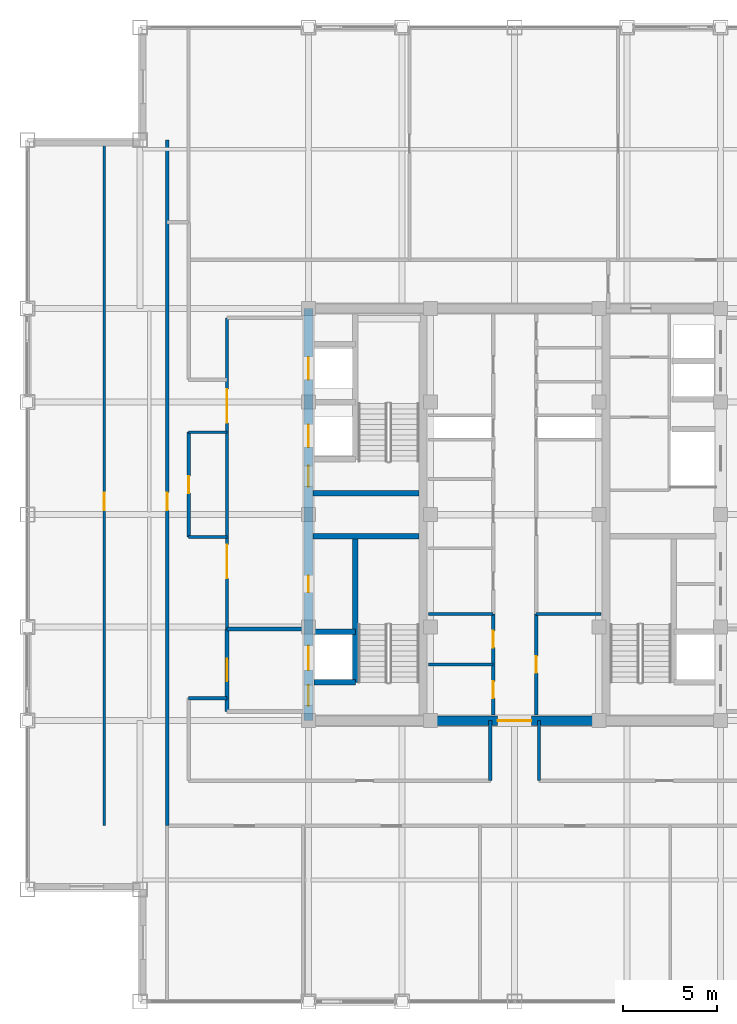
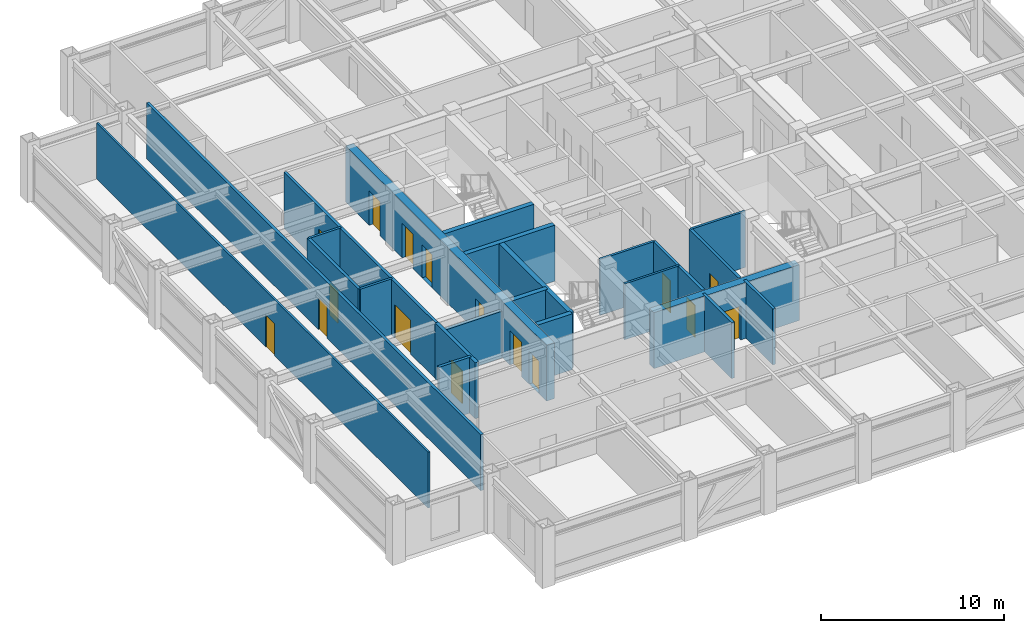
# One storey, part 24 of 28: 23 walls, 16 doors, 16 openings.
"""IFC4 building model written with IfcOpenShell, lengths in metres."""

from ifc_helpers import new_model, si_unit, direction, frame, frame_2d, origin, place, context, subcontext, project, spatial, rectangle, extrude, source, transform, mapped, material, layer, layer_set, type_object, element, fill, save


model = new_model("IFC4")

# Units and contexts
model_context = context("Model", 3, precision=1e-05, world=origin(), true_north=direction((0.0, 1.0)))
body_context = subcontext(model_context, "Body", "Model", "MODEL_VIEW")
ifc_project = project(units=[si_unit("LENGTHUNIT", "METRE"), si_unit("AREAUNIT", "SQUARE_METRE"), si_unit("VOLUMEUNIT", "CUBIC_METRE"), si_unit("PLANEANGLEUNIT", "RADIAN"), si_unit("MASSUNIT", "GRAM", prefix="KILO")], contexts=[model_context])

# Site, building, storey
site_placement = place(None, origin())
site = spatial("IfcSite", under=ifc_project, at=site_placement, CompositionType="ELEMENT")
building_placement = place(site_placement, origin())
building = spatial("IfcBuilding", under=site, at=building_placement, Name="Khorayat Bourse Tower", CompositionType="ELEMENT")
storey_placement = place(building_placement, frame((0.0, 0.0, 338.300048828125)))
storey = spatial("IfcBuildingStorey", under=building, at=storey_placement, Name="L80", CompositionType="ELEMENT", Elevation=338.300048828125)

# Wall, openings, doors
ifc_material_1 = material(Name="Concrete C52/65", Category="concrete")
ifc_layer_1 = layer(ifc_material_1, 0.5)
ifc_layer_set_1 = layer_set([ifc_layer_1], Name="Concrete C52/65")
wall_type_1 = type_object("IfcWallType", Name="WAL-CORE-500", PredefinedType="SHEAR", material=ifc_layer_set_1)
shared_shape_1 = source(origin(), body_context, "Body", "SweptSolid", [
    extrude(rectangle(XDim=22.0, YDim=0.5, at=frame_2d((11.0, 0.0))), origin(), (0.0, 0.0, 1.0), 3.739990234375),
])
wall_1_placement = place(storey_placement, frame((-11.0, -11.0, 0.0), z_axis=(0.0, 0.0, 1.0), x_axis=(0.0, 1.0, 0.0)))
wall_1 = element("IfcWall", 1, at=wall_1_placement, inside=storey, type_object=wall_type_1, Name="L80 Core Shear Wall CORE-W", PredefinedType="SHEAR", context=body_context, shape_type="MappedRepresentation", body=[
    mapped(shared_shape_1, transform((0.0, 0.0, 0.0), scale=1.0)),
])
shared_shape_2 = source(origin(), body_context, "Body", "SweptSolid", [
    extrude(rectangle(XDim=1.10009765625, YDim=2.199951171875, at=frame_2d((0.550048828125, 1.10009765625))), frame((0.0, 0.260009765625, 0.0), z_axis=(0.0, -1.0, 0.0), x_axis=(1.0, 0.0, 0.0)), (0.0, 0.0, 1.0), 0.52001953125),
])
opening_1_placement = place(wall_1_placement, frame((0.800048828125, 0.0, 0.0)))
opening_1 = element("IfcOpeningElement", 2, at=opening_1_placement, cuts=wall_1, Name="Opening DI-01", PredefinedType="OPENING", context=body_context, shape_type="MappedRepresentation", body=[
    mapped(shared_shape_2, transform((0.0, 0.0, 0.0), scale=1.0)),
])
opening_2_placement = place(wall_1_placement, frame((12.5, 0.0, 0.0)))
opening_2 = element("IfcOpeningElement", 3, at=opening_2_placement, cuts=wall_1, Name="Opening DI-01", PredefinedType="OPENING", context=body_context, shape_type="MappedRepresentation", body=[
    mapped(shared_shape_2, transform((0.0, 0.0, 0.0), scale=1.0)),
])
shared_shape_3 = source(origin(), body_context, "Body", "SweptSolid", [
    extrude(rectangle(XDim=0.89990234375, YDim=2.14990234375, at=frame_2d((0.449951171875, 1.074951171875))), frame((0.0, 0.260009765625, 0.0), z_axis=(0.0, -1.0, 0.0), x_axis=(1.0, 0.0, 0.0)), (0.0, 0.0, 1.0), 0.52001953125),
])
opening_3_placement = place(wall_1_placement, frame((6.85009765625, 0.0, 0.0)))
opening_3 = element("IfcOpeningElement", 4, at=opening_3_placement, cuts=wall_1, Name="Opening DI-06", PredefinedType="OPENING", context=body_context, shape_type="MappedRepresentation", body=[
    mapped(shared_shape_3, transform((0.0, 0.0, 0.0), scale=1.0)),
])
shared_shape_4 = source(origin(), body_context, "Body", "SweptSolid", [
    extrude(rectangle(XDim=1.199951171875, YDim=2.300048828125, at=frame_2d((0.60009765625, 1.14990234375))), frame((0.0, 0.260009765625, 0.0), z_axis=(0.0, -1.0, 0.0), x_axis=(1.0, 0.0, 0.0)), (0.0, 0.0, 1.0), 0.52001953125),
])
opening_4_placement = place(wall_1_placement, frame((14.60009765625, 0.0, 0.0)))
opening_4 = element("IfcOpeningElement", 5, at=opening_4_placement, cuts=wall_1, Name="Opening LD-01", PredefinedType="OPENING", context=body_context, shape_type="MappedRepresentation", body=[
    mapped(shared_shape_4, transform((0.0, 0.0, 0.0), scale=1.0)),
])
opening_5_placement = place(wall_1_placement, frame((18.199951171875, 0.0, 0.0)))
opening_5 = element("IfcOpeningElement", 6, at=opening_5_placement, cuts=wall_1, Name="Opening LD-01", PredefinedType="OPENING", context=body_context, shape_type="MappedRepresentation", body=[
    mapped(shared_shape_4, transform((0.0, 0.0, 0.0), scale=1.0)),
])
shared_shape_5 = source(origin(), body_context, "Body", "SweptSolid", [
    extrude(rectangle(XDim=1.300048828125, YDim=2.300048828125, at=frame_2d((0.64990234375, 1.14990234375))), frame((0.0, 0.260009765625, 0.0), z_axis=(0.0, -1.0, 0.0), x_axis=(1.0, 0.0, 0.0)), (0.0, 0.0, 1.0), 0.52001953125),
])
opening_6_placement = place(wall_1_placement, frame((2.699951171875, 0.0, 0.0)))
opening_6 = element("IfcOpeningElement", 7, at=opening_6_placement, cuts=wall_1, Name="Opening LD-02", PredefinedType="OPENING", context=body_context, shape_type="MappedRepresentation", body=[
    mapped(shared_shape_5, transform((0.0, 0.0, 0.0), scale=1.0)),
])
ifc_material_2 = material(Name="Fire-rated steel acoustic leaf", Category="steel")
door_type_1 = type_object("IfcDoorType", Name="DR-INT-STAIR-1100", OperationType="NOTDEFINED", PredefinedType="DOOR", material=ifc_material_2)
shared_shape_6 = source(origin(), body_context, "Body", "SweptSolid", [
    extrude(rectangle(XDim=1.10009765625, YDim=2.199951171875, at=frame_2d((0.550048828125, 1.10009765625))), frame((0.0, 0.02490234375, 0.0), z_axis=(0.0, -1.0, 0.0), x_axis=(1.0, 0.0, 0.0)), (0.0, 0.0, 1.0), 0.050048828125),
])
door_1_placement = place(opening_1_placement, origin())
door_1 = element("IfcDoor", 8, at=door_1_placement, inside=storey, type_object=door_type_1, Name="L80 Exit Stair 1 Door", OperationType="SINGLE_SWING_RIGHT", OverallHeight=2.199951171875, OverallWidth=1.10009765625, PredefinedType="DOOR", context=body_context, shape_type="MappedRepresentation", body=[
    mapped(shared_shape_6, transform((0.0, 0.0, 0.0), scale=1.0)),
])
fill(opening_1, door_1)
door_2_placement = place(opening_2_placement, origin())
door_2 = element("IfcDoor", 9, at=door_2_placement, inside=storey, type_object=door_type_1, Name="L80 Exit Stair 2 Door", OperationType="SINGLE_SWING_RIGHT", OverallHeight=2.199951171875, OverallWidth=1.10009765625, PredefinedType="DOOR", context=body_context, shape_type="MappedRepresentation", body=[
    mapped(shared_shape_6, transform((0.0, 0.0, 0.0), scale=1.0)),
])
fill(opening_2, door_2)
ifc_material_3 = material(Name="Moisture-resistant laminate washroom door")
door_type_2 = type_object("IfcDoorType", Name="DR-INT-WC-900", OperationType="NOTDEFINED", PredefinedType="DOOR", material=ifc_material_3)
shared_shape_7 = source(origin(), body_context, "Body", "SweptSolid", [
    extrude(rectangle(XDim=0.89990234375, YDim=2.14990234375, at=frame_2d((0.449951171875, 1.074951171875))), frame((0.0, 0.02490234375, 0.0), z_axis=(0.0, -1.0, 0.0), x_axis=(1.0, 0.0, 0.0)), (0.0, 0.0, 1.0), 0.050048828125),
])
door_3_placement = place(opening_3_placement, origin())
door_3 = element("IfcDoor", 10, at=door_3_placement, inside=storey, type_object=door_type_2, Name="L80 Electrical Switch Plant Room Door", OperationType="SINGLE_SWING_RIGHT", OverallHeight=2.14990234375, OverallWidth=0.89990234375, PredefinedType="DOOR", context=body_context, shape_type="MappedRepresentation", body=[
    mapped(shared_shape_7, transform((0.0, 0.0, 0.0), scale=1.0)),
])
fill(opening_3, door_3)
ifc_material_4 = material(Name="Brushed bronze stainless-steel sliding door", Category="steel")
door_type_3 = type_object("IfcDoorType", Name="DR-LIFT-PASS-1200", OperationType="NOTDEFINED", PredefinedType="DOOR", material=ifc_material_4)
shared_shape_8 = source(origin(), body_context, "Body", "SweptSolid", [
    extrude(rectangle(XDim=1.199951171875, YDim=2.300048828125, at=frame_2d((0.60009765625, 1.14990234375))), frame((0.0, 0.02490234375, 0.0), z_axis=(0.0, -1.0, 0.0), x_axis=(1.0, 0.0, 0.0)), (0.0, 0.0, 1.0), 0.050048828125),
])
door_4_placement = place(opening_4_placement, origin())
door_4 = element("IfcDoor", 11, at=door_4_placement, inside=storey, type_object=door_type_3, Name="L80 Lift PL-H1 Sliding Landing Door", OperationType="SLIDING_TO_LEFT", OverallHeight=2.300048828125, OverallWidth=1.199951171875, PredefinedType="DOOR", context=body_context, shape_type="MappedRepresentation", body=[
    mapped(shared_shape_8, transform((0.0, 0.0, 0.0), scale=1.0)),
])
fill(opening_4, door_4)
door_5_placement = place(opening_5_placement, origin())
door_5 = element("IfcDoor", 12, at=door_5_placement, inside=storey, type_object=door_type_3, Name="L80 Lift PL-H2 Sliding Landing Door", OperationType="SLIDING_TO_LEFT", OverallHeight=2.300048828125, OverallWidth=1.199951171875, PredefinedType="DOOR", context=body_context, shape_type="MappedRepresentation", body=[
    mapped(shared_shape_8, transform((0.0, 0.0, 0.0), scale=1.0)),
])
fill(opening_5, door_5)
ifc_material_5 = material(Name="Fire-rated stainless-steel sliding landing door", Category="steel")
door_type_4 = type_object("IfcDoorType", Name="DR-LIFT-FF-1300", OperationType="NOTDEFINED", PredefinedType="DOOR", material=ifc_material_5)
shared_shape_9 = source(origin(), body_context, "Body", "SweptSolid", [
    extrude(rectangle(XDim=1.300048828125, YDim=2.300048828125, at=frame_2d((0.64990234375, 1.14990234375))), frame((0.0, 0.02490234375, 0.0), z_axis=(0.0, -1.0, 0.0), x_axis=(1.0, 0.0, 0.0)), (0.0, 0.0, 1.0), 0.050048828125),
])
door_6_placement = place(opening_6_placement, origin())
door_6 = element("IfcDoor", 13, at=door_6_placement, inside=storey, type_object=door_type_4, Name="L80 Lift FFL-01 Sliding Landing Door", OperationType="SLIDING_TO_LEFT", OverallHeight=2.300048828125, OverallWidth=1.300048828125, PredefinedType="DOOR", context=body_context, shape_type="MappedRepresentation", body=[
    mapped(shared_shape_9, transform((0.0, 0.0, 0.0), scale=1.0)),
])
fill(opening_6, door_6)

# Walls
ifc_material_6 = material(Name="Concrete C50/60", Category="concrete")
ifc_layer_2 = layer(ifc_material_6, 0.300048828125)
ifc_layer_set_2 = layer_set([ifc_layer_2], Name="Concrete C50/60")
wall_type_2 = type_object("IfcWallType", Name="WAL-SHAFT-300", PredefinedType="SHEAR", material=ifc_layer_set_2)
shared_shape_10 = source(origin(), body_context, "Body", "SweptSolid", [
    extrude(rectangle(XDim=5.64990234375, YDim=0.300048828125, at=frame_2d((2.824951171875, 0.0))), origin(), (0.0, 0.0, 1.0), 3.739990234375),
])
for number, where, z_axis, x_axis, name in (
    (14, (-10.75, -1.14990234375, 0.0), (0.0, 0.0, 1.0), (1.0, 0.0, 0.0), "L80 Core Shear Wall ST1-DIV"),
    (15, (-10.75, 1.14990234375, 0.0), (0.0, 0.0, 1.0), (1.0, 0.0, 0.0), "L80 Core Shear Wall ST2-DIV"),
):
    element("IfcWall", number, at=place(storey_placement, frame(where, z_axis=z_axis, x_axis=x_axis)), inside=storey, type_object=wall_type_2, Name=name, PredefinedType="SHEAR", context=body_context, shape_type="MappedRepresentation", body=[
        mapped(shared_shape_10, transform((0.0, 0.0, 0.0), scale=1.0)),
    ])

# Wall, opening, door
shared_shape_11 = source(origin(), body_context, "Body", "SweptSolid", [
    extrude(rectangle(XDim=9.2001953125, YDim=0.5, at=frame_2d((4.60009765625, 0.0))), origin(), (0.0, 0.0, 1.0), 3.739990234375),
])
wall_2_placement = place(storey_placement, frame((-4.60009765625, -11.0, 0.0), z_axis=(0.0, 0.0, 1.0), x_axis=(1.0, 0.0, 0.0)))
wall_2 = element("IfcWall", 16, at=wall_2_placement, inside=storey, type_object=wall_type_1, Name="L80 Core Shear Wall CORE-S", PredefinedType="SHEAR", context=body_context, shape_type="MappedRepresentation", body=[
    mapped(shared_shape_11, transform((0.0, 0.0, 0.0), scale=1.0)),
])
shared_shape_12 = source(origin(), body_context, "Body", "SweptSolid", [
    extrude(rectangle(XDim=1.800048828125, YDim=2.25, at=frame_2d((0.89990234375, 1.125))), frame((0.0, 0.260009765625, 0.0), z_axis=(0.0, -1.0, 0.0), x_axis=(1.0, 0.0, 0.0)), (0.0, 0.0, 1.0), 0.52001953125),
])
opening_7_placement = place(wall_2_placement, frame((3.699951171875, 0.0, 0.0)))
opening_7 = element("IfcOpeningElement", 17, at=opening_7_placement, cuts=wall_2, Name="Opening DI-03", PredefinedType="OPENING", context=body_context, shape_type="MappedRepresentation", body=[
    mapped(shared_shape_12, transform((0.0, 0.0, 0.0), scale=1.0)),
])
ifc_material_7 = material(Name="Fire-rated hardwood vision-panel double leaf", Category="wood")
door_type_5 = type_object("IfcDoorType", Name="DR-INT-CORR-1800", OperationType="NOTDEFINED", PredefinedType="DOOR", material=ifc_material_7)
shared_shape_13 = source(origin(), body_context, "Body", "SweptSolid", [
    extrude(rectangle(XDim=1.800048828125, YDim=2.25, at=frame_2d((0.89990234375, 1.125))), frame((0.0, 0.02490234375, 0.0), z_axis=(0.0, -1.0, 0.0), x_axis=(1.0, 0.0, 0.0)), (0.0, 0.0, 1.0), 0.050048828125),
])
door_7_placement = place(opening_7_placement, origin())
door_7 = element("IfcDoor", 18, at=door_7_placement, inside=storey, type_object=door_type_5, Name="L80 Central Core South Passage Door", OperationType="SINGLE_SWING_LEFT", OverallHeight=2.25, OverallWidth=1.800048828125, PredefinedType="DOOR", context=body_context, shape_type="MappedRepresentation", body=[
    mapped(shared_shape_13, transform((0.0, 0.0, 0.0), scale=1.0)),
])
fill(opening_7, door_7)

# Walls
shared_shape_14 = source(origin(), body_context, "Body", "SweptSolid", [
    extrude(rectangle(XDim=7.800048828125, YDim=0.300048828125, at=frame_2d((3.89990234375, 0.0))), origin(), (0.0, 0.0, 1.0), 3.739990234375),
])
wall_3_placement = place(storey_placement, frame((-8.5, -8.949951171875, 0.0), z_axis=(0.0, 0.0, 1.0), x_axis=(0.0, 1.0, 0.0)))
element("IfcWall", 19, at=wall_3_placement, inside=storey, type_object=wall_type_2, Name="L80 Partition WAL-L80-WPIER-SP", PredefinedType="SHEAR", context=body_context, shape_type="MappedRepresentation", body=[
    mapped(shared_shape_14, transform((0.0, 0.0, 0.0), scale=1.0)),
])
shared_shape_15 = source(origin(), body_context, "Body", "SweptSolid", [
    extrude(rectangle(XDim=2.199951171875, YDim=0.300048828125, at=frame_2d((1.10009765625, 0.0))), origin(), (0.0, 0.0, 1.0), 3.739990234375),
])
for number, where, z_axis, x_axis, name in (
    (20, (-10.699951171875, -8.949951171875, 0.0), (0.0, 0.0, 1.0), (1.0, 0.0, 0.0), "L80 Partition WAL-L80-WPIER-FF1S"),
    (21, (-10.699951171875, -6.25, 0.0), (0.0, 0.0, 1.0), (1.0, 0.0, 0.0), "L80 Partition WAL-L80-WPIER-FF1N"),
):
    element("IfcWall", number, at=place(storey_placement, frame(where, z_axis=z_axis, x_axis=x_axis)), inside=storey, type_object=wall_type_2, Name=name, PredefinedType="SHEAR", context=body_context, shape_type="MappedRepresentation", body=[
        mapped(shared_shape_15, transform((0.0, 0.0, 0.0), scale=1.0)),
    ])
ifc_material_8 = material(Name="Aerated concrete blockwork", Category="masonry")
ifc_layer_3 = layer(ifc_material_8, 0.219970703125)
ifc_layer_set_3 = layer_set([ifc_layer_3], Name="Aerated concrete blockwork")
wall_type_3 = type_object("IfcWallType", Name="WAL-PART-FF-220", PredefinedType="PARTITIONING", material=ifc_layer_set_3)
shared_shape_16 = source(origin(), body_context, "Body", "SweptSolid", [
    extrude(rectangle(XDim=4.050048828125, YDim=0.219970703125, at=frame_2d((2.02490234375, 0.0))), origin(), (0.0, 0.0, 1.0), 3.1240234375),
])
wall_4_placement = place(storey_placement, frame((-15.35009765625, -6.10009765625, 0.0), z_axis=(0.0, 0.0, 1.0), x_axis=(1.0, 0.0, 0.0)))
element("IfcWall", 22, at=wall_4_placement, inside=storey, type_object=wall_type_3, Name="L80 Partition WAL-L80-FFLW-N", PredefinedType="PARTITIONING", context=body_context, shape_type="MappedRepresentation", body=[
    mapped(shared_shape_16, transform((0.0, 0.0, 0.0), scale=1.0)),
])

# Wall, opening, door
shared_shape_17 = source(origin(), body_context, "Body", "SweptSolid", [
    extrude(rectangle(XDim=4.39990234375, YDim=0.219970703125, at=frame_2d((2.199951171875, 0.0))), origin(), (0.0, 0.0, 1.0), 3.739990234375),
])
wall_5_placement = place(storey_placement, frame((-15.35009765625, -10.5, 0.0), z_axis=(0.0, 0.0, 1.0), x_axis=(0.0, 1.0, 0.0)))
wall_5 = element("IfcWall", 23, at=wall_5_placement, inside=storey, type_object=wall_type_3, Name="L80 Partition WAL-L80-FFLW-W", PredefinedType="PARTITIONING", context=body_context, shape_type="MappedRepresentation", body=[
    mapped(shared_shape_17, transform((0.0, 0.0, 0.0), scale=1.0)),
])
shared_shape_18 = source(origin(), body_context, "Body", "SweptSolid", [
    extrude(rectangle(XDim=1.199951171875, YDim=2.199951171875, at=frame_2d((0.60009765625, 1.10009765625))), frame((0.0, 0.119873046875, 0.0), z_axis=(0.0, -1.0, 0.0), x_axis=(1.0, 0.0, 0.0)), (0.0, 0.0, 1.0), 0.239990234375),
])
opening_8_placement = place(wall_5_placement, frame((1.60009765625, 0.0, 0.0)))
opening_8 = element("IfcOpeningElement", 24, at=opening_8_placement, cuts=wall_5, Name="Opening DI-02", PredefinedType="OPENING", context=body_context, shape_type="MappedRepresentation", body=[
    mapped(shared_shape_18, transform((0.0, 0.0, 0.0), scale=1.0)),
])
ifc_material_9 = material(Name="Fire-rated steel double-seal leaf", Category="steel")
door_type_6 = type_object("IfcDoorType", Name="DR-INT-FFLOBBY-1200", OperationType="NOTDEFINED", PredefinedType="DOOR", material=ifc_material_9)
shared_shape_19 = source(origin(), body_context, "Body", "SweptSolid", [
    extrude(rectangle(XDim=1.199951171875, YDim=2.199951171875, at=frame_2d((0.60009765625, 1.10009765625))), frame((0.0, 0.02490234375, 0.0), z_axis=(0.0, -1.0, 0.0), x_axis=(1.0, 0.0, 0.0)), (0.0, 0.0, 1.0), 0.050048828125),
])
door_8_placement = place(opening_8_placement, origin())
door_8 = element("IfcDoor", 25, at=door_8_placement, inside=storey, type_object=door_type_6, Name="L80 West Firefighting Lobby Door", OperationType="SINGLE_SWING_LEFT", OverallHeight=2.199951171875, OverallWidth=1.199951171875, PredefinedType="DOOR", context=body_context, shape_type="MappedRepresentation", body=[
    mapped(shared_shape_19, transform((0.0, 0.0, 0.0), scale=1.0)),
])
fill(opening_8, door_8)

# Wall, openings, doors
ifc_material_10 = material(Name="Gypsum plasterboard acoustic stud wall")
ifc_layer_4 = layer(ifc_material_10, 0.179931640625)
ifc_layer_set_4 = layer_set([ifc_layer_4], Name="Gypsum plasterboard acoustic stud wall")
wall_type_4 = type_object("IfcWallType", Name="WAL-PART-CORR-180", PredefinedType="PARTITIONING", material=ifc_layer_set_4)
shared_shape_20 = source(origin(), body_context, "Body", "SweptSolid", [
    extrude(rectangle(XDim=16.60009765625, YDim=0.179931640625, at=frame_2d((8.300048828125, 0.0))), origin(), (0.0, 0.0, 1.0), 3.739990234375),
])
wall_6_placement = place(storey_placement, frame((-15.35009765625, -6.10009765625, 0.0), z_axis=(0.0, 0.0, 1.0), x_axis=(0.0, 1.0, 0.0)))
wall_6 = element("IfcWall", 26, at=wall_6_placement, inside=storey, type_object=wall_type_4, Name="L80 Partition WAL-L80-WLOB-W", PredefinedType="PARTITIONING", context=body_context, shape_type="MappedRepresentation", body=[
    mapped(shared_shape_20, transform((0.0, 0.0, 0.0), scale=1.0)),
])
shared_shape_21 = source(origin(), body_context, "Body", "SweptSolid", [
    extrude(rectangle(XDim=1.800048828125, YDim=2.25, at=frame_2d((0.89990234375, 1.125))), frame((0.0, 0.099853515625, 0.0), z_axis=(0.0, -1.0, 0.0), x_axis=(1.0, 0.0, 0.0)), (0.0, 0.0, 1.0), 0.199951171875),
])
opening_9_placement = place(wall_6_placement, frame((2.699951171875, 0.0, 0.0)))
opening_9 = element("IfcOpeningElement", 27, at=opening_9_placement, cuts=wall_6, Name="Opening DI-03", PredefinedType="OPENING", context=body_context, shape_type="MappedRepresentation", body=[
    mapped(shared_shape_21, transform((0.0, 0.0, 0.0), scale=1.0)),
])
opening_10_placement = place(wall_6_placement, frame((11.0, 0.0, 0.0)))
opening_10 = element("IfcOpeningElement", 28, at=opening_10_placement, cuts=wall_6, Name="Opening DI-03", PredefinedType="OPENING", context=body_context, shape_type="MappedRepresentation", body=[
    mapped(shared_shape_21, transform((0.0, 0.0, 0.0), scale=1.0)),
])
door_9_placement = place(opening_9_placement, origin())
door_9 = element("IfcDoor", 29, at=door_9_placement, inside=storey, type_object=door_type_5, Name="L80 West Core Lobby South Door", OperationType="SINGLE_SWING_LEFT", OverallHeight=2.25, OverallWidth=1.800048828125, PredefinedType="DOOR", context=body_context, shape_type="MappedRepresentation", body=[
    mapped(shared_shape_13, transform((0.0, 0.0, 0.0), scale=1.0)),
])
fill(opening_9, door_9)
door_10_placement = place(opening_10_placement, origin())
door_10 = element("IfcDoor", 30, at=door_10_placement, inside=storey, type_object=door_type_5, Name="L80 West Core Lobby North Door", OperationType="SINGLE_SWING_RIGHT", OverallHeight=2.25, OverallWidth=1.800048828125, PredefinedType="DOOR", context=body_context, shape_type="MappedRepresentation", body=[
    mapped(shared_shape_13, transform((0.0, 0.0, 0.0), scale=1.0)),
])
fill(opening_10, door_10)

# Walls
ifc_material_11 = material(Name="Gypsum plasterboard twin-frame partition")
ifc_layer_5 = layer(ifc_material_11, 0.14990234375)
ifc_layer_set_5 = layer_set([ifc_layer_5], Name="Gypsum plasterboard twin-frame partition")
wall_type_5 = type_object("IfcWallType", Name="WAL-PART-SUITE-150", PredefinedType="PARTITIONING", material=ifc_layer_set_5)
shared_shape_22 = source(origin(), body_context, "Body", "SweptSolid", [
    extrude(rectangle(XDim=3.4501953125, YDim=0.14990234375, at=frame_2d((1.72509765625, 0.0))), origin(), (0.0, 0.0, 1.0), 3.739990234375),
])
for number, where, z_axis, x_axis, name in (
    (31, (-4.60009765625, -5.300048828125, 0.0), (0.0, 0.0, 1.0), (1.0, 0.0, 0.0), "L80 Partition WAL-L80-FB1-NW"),
    (32, (1.14990234375, -5.300048828125, 0.0), (0.0, 0.0, 1.0), (1.0, 0.0, 0.0), "L80 Partition WAL-L80-FB1-NE"),
):
    element("IfcWall", number, at=place(storey_placement, frame(where, z_axis=z_axis, x_axis=x_axis)), inside=storey, type_object=wall_type_5, Name=name, PredefinedType="PARTITIONING", context=body_context, shape_type="MappedRepresentation", body=[
        mapped(shared_shape_22, transform((0.0, 0.0, 0.0), scale=1.0)),
    ])
ifc_material_12 = material(Name="Moisture-resistant masonry partition", Category="masonry")
ifc_layer_6 = layer(ifc_material_12, 0.139892578125)
ifc_layer_set_6 = layer_set([ifc_layer_6], Name="Moisture-resistant masonry partition")
wall_type_6 = type_object("IfcWallType", Name="WAL-PART-WET-140", PredefinedType="PARTITIONING", material=ifc_layer_set_6)
shared_shape_23 = source(origin(), body_context, "Body", "SweptSolid", [
    extrude(rectangle(XDim=3.4501953125, YDim=0.139892578125, at=frame_2d((1.72509765625, 0.0))), origin(), (0.0, 0.0, 1.0), 3.739990234375),
])
wall_7_placement = place(storey_placement, frame((-4.60009765625, -8.0, 0.0), z_axis=(0.0, 0.0, 1.0), x_axis=(1.0, 0.0, 0.0)))
element("IfcWall", 33, at=wall_7_placement, inside=storey, type_object=wall_type_6, Name="L80 Partition WAL-L80-FB1W-D1", PredefinedType="PARTITIONING", context=body_context, shape_type="MappedRepresentation", body=[
    mapped(shared_shape_23, transform((0.0, 0.0, 0.0), scale=1.0)),
])

# Wall, openings, doors
shared_shape_24 = source(origin(), body_context, "Body", "SweptSolid", [
    extrude(rectangle(XDim=5.39990234375, YDim=0.179931640625, at=frame_2d((2.699951171875, 0.0))), origin(), (0.0, 0.0, 1.0), 3.739990234375),
])
wall_8_placement = place(storey_placement, frame((-1.14990234375, -10.699951171875, 0.0), z_axis=(0.0, 0.0, 1.0), x_axis=(0.0, 1.0, 0.0)))
wall_8 = element("IfcWall", 34, at=wall_8_placement, inside=storey, type_object=wall_type_4, Name="L80 Partition WAL-L80-FB1W-L", PredefinedType="PARTITIONING", context=body_context, shape_type="MappedRepresentation", body=[
    mapped(shared_shape_24, transform((0.0, 0.0, 0.0), scale=1.0)),
])
shared_shape_25 = source(origin(), body_context, "Body", "SweptSolid", [
    extrude(rectangle(XDim=0.89990234375, YDim=2.14990234375, at=frame_2d((0.449951171875, 1.074951171875))), frame((0.0, 0.099853515625, 0.0), z_axis=(0.0, -1.0, 0.0), x_axis=(1.0, 0.0, 0.0)), (0.0, 0.0, 1.0), 0.199951171875),
])
opening_11_placement = place(wall_8_placement, frame((0.89990234375, 0.0, 0.0)))
opening_11 = element("IfcOpeningElement", 35, at=opening_11_placement, cuts=wall_8, Name="Opening DI-06", PredefinedType="OPENING", context=body_context, shape_type="MappedRepresentation", body=[
    mapped(shared_shape_25, transform((0.0, 0.0, 0.0), scale=1.0)),
])
opening_12_placement = place(wall_8_placement, frame((3.60009765625, 0.0, 0.0)))
opening_12 = element("IfcOpeningElement", 36, at=opening_12_placement, cuts=wall_8, Name="Opening DI-06", PredefinedType="OPENING", context=body_context, shape_type="MappedRepresentation", body=[
    mapped(shared_shape_25, transform((0.0, 0.0, 0.0), scale=1.0)),
])
door_11_placement = place(opening_11_placement, origin())
door_11 = element("IfcDoor", 37, at=door_11_placement, inside=storey, type_object=door_type_2, Name="L80 Clearing Vault Store Door", OperationType="SINGLE_SWING_RIGHT", OverallHeight=2.14990234375, OverallWidth=0.89990234375, PredefinedType="DOOR", context=body_context, shape_type="MappedRepresentation", body=[
    mapped(shared_shape_7, transform((0.0, 0.0, 0.0), scale=1.0)),
])
fill(opening_11, door_11)
door_12_placement = place(opening_12_placement, origin())
door_12 = element("IfcDoor", 38, at=door_12_placement, inside=storey, type_object=door_type_2, Name="L80 UPS Battery Plant Room Door", OperationType="SINGLE_SWING_LEFT", OverallHeight=2.14990234375, OverallWidth=0.89990234375, PredefinedType="DOOR", context=body_context, shape_type="MappedRepresentation", body=[
    mapped(shared_shape_7, transform((0.0, 0.0, 0.0), scale=1.0)),
])
fill(opening_12, door_12)

# Wall, opening, door
wall_9_placement = place(storey_placement, frame((1.14990234375, -10.699951171875, 0.0), z_axis=(0.0, 0.0, 1.0), x_axis=(0.0, 1.0, 0.0)))
wall_9 = element("IfcWall", 39, at=wall_9_placement, inside=storey, type_object=wall_type_4, Name="L80 Partition WAL-L80-FB1E-L", PredefinedType="PARTITIONING", context=body_context, shape_type="MappedRepresentation", body=[
    mapped(shared_shape_24, transform((0.0, 0.0, 0.0), scale=1.0)),
])
opening_13_placement = place(wall_9_placement, frame((2.25, 0.0, 0.0)))
opening_13 = element("IfcOpeningElement", 40, at=opening_13_placement, cuts=wall_9, Name="Opening DI-06", PredefinedType="OPENING", context=body_context, shape_type="MappedRepresentation", body=[
    mapped(shared_shape_25, transform((0.0, 0.0, 0.0), scale=1.0)),
])
door_13_placement = place(opening_13_placement, origin())
door_13 = element("IfcDoor", 41, at=door_13_placement, inside=storey, type_object=door_type_2, Name="L80 Core Archive Vault Door", OperationType="SINGLE_SWING_RIGHT", OverallHeight=2.14990234375, OverallWidth=0.89990234375, PredefinedType="DOOR", context=body_context, shape_type="MappedRepresentation", body=[
    mapped(shared_shape_7, transform((0.0, 0.0, 0.0), scale=1.0)),
])
fill(opening_13, door_13)

shared_shape_26 = source(origin(), body_context, "Body", "SweptSolid", [
    extrude(rectangle(XDim=5.599853515625, YDim=0.179931640625, at=frame_2d((2.7998046875, 0.0))), origin(), (0.0, 0.0, 1.0), 3.739990234375),
])
wall_10_placement = place(storey_placement, frame((-17.39990234375, -1.199951171875, 0.0), z_axis=(0.0, 0.0, 1.0), x_axis=(0.0, 1.0, 0.0)))
wall_10 = element("IfcWall", 42, at=wall_10_placement, inside=storey, type_object=wall_type_4, Name="L80 Partition WAL-L80-PKWM-W", PredefinedType="PARTITIONING", context=body_context, shape_type="MappedRepresentation", body=[
    mapped(shared_shape_26, transform((0.0, 0.0, 0.0), scale=1.0)),
])
opening_14_placement = place(wall_10_placement, frame((2.35009765625, 0.0, 0.0)))
opening_14 = element("IfcOpeningElement", 43, at=opening_14_placement, cuts=wall_10, Name="Opening DI-06", PredefinedType="OPENING", context=body_context, shape_type="MappedRepresentation", body=[
    mapped(shared_shape_25, transform((0.0, 0.0, 0.0), scale=1.0)),
])
door_14_placement = place(opening_14_placement, origin())
door_14 = element("IfcDoor", 44, at=door_14_placement, inside=storey, type_object=door_type_2, Name="L80 West Inboard Focus Door", OperationType="SINGLE_SWING_LEFT", OverallHeight=2.14990234375, OverallWidth=0.89990234375, PredefinedType="DOOR", context=body_context, shape_type="MappedRepresentation", body=[
    mapped(shared_shape_7, transform((0.0, 0.0, 0.0), scale=1.0)),
])
fill(opening_14, door_14)

# Walls
shared_shape_27 = source(origin(), body_context, "Body", "SweptSolid", [
    extrude(rectangle(XDim=2.0498046875, YDim=0.14990234375, at=frame_2d((1.02490234375, 0.0))), origin(), (0.0, 0.0, 1.0), 3.739990234375),
])
for number, where, z_axis, x_axis, name in (
    (45, (-17.39990234375, -1.199951171875, 0.0), (0.0, 0.0, 1.0), (1.0, 0.0, 0.0), "L80 Partition WAL-L80-PKWM-S"),
    (46, (-17.39990234375, 4.39990234375, 0.0), (0.0, 0.0, 1.0), (1.0, 0.0, 0.0), "L80 Partition WAL-L80-PKWM-N"),
):
    element("IfcWall", number, at=place(storey_placement, frame(where, z_axis=z_axis, x_axis=x_axis)), inside=storey, type_object=wall_type_5, Name=name, PredefinedType="PARTITIONING", context=body_context, shape_type="MappedRepresentation", body=[
        mapped(shared_shape_27, transform((0.0, 0.0, 0.0), scale=1.0)),
    ])
shared_shape_28 = source(origin(), body_context, "Body", "SweptSolid", [
    extrude(rectangle(XDim=2.0498046875, YDim=0.179931640625, at=frame_2d((1.02490234375, 0.0))), origin(), (0.0, 0.0, 1.0), 3.739990234375),
])
wall_11_placement = place(storey_placement, frame((-17.39990234375, -9.800048828125, 0.0), z_axis=(0.0, 0.0, 1.0), x_axis=(1.0, 0.0, 0.0)))
element("IfcWall", 47, at=wall_11_placement, inside=storey, type_object=wall_type_4, Name="L80 Partition WAL-L80-THRW-S", PredefinedType="PARTITIONING", context=body_context, shape_type="MappedRepresentation", body=[
    mapped(shared_shape_28, transform((0.0, 0.0, 0.0), scale=1.0)),
])

# Wall, opening, door
ifc_material_13 = material(Name="Gypsum plasterboard partition")
ifc_layer_7 = layer(ifc_material_13, 0.125)
ifc_layer_set_7 = layer_set([ifc_layer_7], Name="Gypsum plasterboard partition")
wall_type_7 = type_object("IfcWallType", Name="WAL-PART-ROOM-125", PredefinedType="PARTITIONING", material=ifc_layer_set_7)
shared_shape_29 = source(origin(), body_context, "Body", "SweptSolid", [
    extrude(rectangle(XDim=36.300048828125, YDim=0.125, at=frame_2d((18.14990234375, 0.0))), origin(), (0.0, 0.0, 1.0), 3.739990234375),
])
wall_12_placement = place(storey_placement, frame((-21.902587890625, -16.60009765625, 0.0), z_axis=(0.0, 0.0, 1.0), x_axis=(0.0, 1.0, 0.0)))
wall_12 = element("IfcWall", 48, at=wall_12_placement, inside=storey, type_object=wall_type_7, Name="L80 Partition WAL-L80-WDP-1", PredefinedType="PARTITIONING", context=body_context, shape_type="MappedRepresentation", body=[
    mapped(shared_shape_29, transform((0.0, 0.0, 0.0), scale=1.0)),
])
shared_shape_30 = source(origin(), body_context, "Body", "SweptSolid", [
    extrude(rectangle(XDim=0.949951171875, YDim=2.14990234375, at=frame_2d((0.47509765625, 1.074951171875))), frame((0.0, 0.072509765625, 0.0), z_axis=(0.0, -1.0, 0.0), x_axis=(1.0, 0.0, 0.0)), (0.0, 0.0, 1.0), 0.14501953125),
])
opening_15_placement = place(wall_12_placement, frame((16.824951171875, 0.0, 0.0)))
opening_15 = element("IfcOpeningElement", 49, at=opening_15_placement, cuts=wall_12, Name="Opening DI-05", PredefinedType="OPENING", context=body_context, shape_type="MappedRepresentation", body=[
    mapped(shared_shape_30, transform((0.0, 0.0, 0.0), scale=1.0)),
])
ifc_material_14 = material(Name="Acoustic oak veneer office door")
door_type_7 = type_object("IfcDoorType", Name="DR-INT-OFFICE-950", OperationType="NOTDEFINED", PredefinedType="DOOR", material=ifc_material_14)
shared_shape_31 = source(origin(), body_context, "Body", "SweptSolid", [
    extrude(rectangle(XDim=0.949951171875, YDim=2.14990234375, at=frame_2d((0.47509765625, 1.074951171875))), frame((0.0, 0.02490234375, 0.0), z_axis=(0.0, -1.0, 0.0), x_axis=(1.0, 0.0, 0.0)), (0.0, 0.0, 1.0), 0.050048828125),
])
door_15_placement = place(opening_15_placement, origin())
door_15 = element("IfcDoor", 50, at=door_15_placement, inside=storey, type_object=door_type_7, Name="L80 Executive Boardroom W1B Door", OperationType="SINGLE_SWING_RIGHT", OverallHeight=2.14990234375, OverallWidth=0.949951171875, PredefinedType="DOOR", context=body_context, shape_type="MappedRepresentation", body=[
    mapped(shared_shape_31, transform((0.0, 0.0, 0.0), scale=1.0)),
])
fill(opening_15, door_15)

# Walls
shared_shape_32 = source(origin(), body_context, "Body", "SweptSolid", [
    extrude(rectangle(XDim=3.199951171875, YDim=0.179931640625, at=frame_2d((1.60009765625, 0.0))), origin(), (0.0, 0.0, 1.0), 3.739990234375),
])
for number, where, z_axis, x_axis, name in (
    (51, (-1.300048828125, -14.199951171875, 0.0), (0.0, 0.0, 1.0), (0.0, 1.0, 0.0), "L80 Partition WAL-L80-PKSW-E"),
    (52, (1.300048828125, -14.199951171875, 0.0), (0.0, 0.0, 1.0), (0.0, 1.0, 0.0), "L80 Partition WAL-L80-PKSE-W"),
):
    element("IfcWall", number, at=place(storey_placement, frame(where, z_axis=z_axis, x_axis=x_axis)), inside=storey, type_object=wall_type_4, Name=name, PredefinedType="PARTITIONING", context=body_context, shape_type="MappedRepresentation", body=[
        mapped(shared_shape_32, transform((0.0, 0.0, 0.0), scale=1.0)),
    ])

# Wall, opening, door
shared_shape_33 = source(origin(), body_context, "Body", "SweptSolid", [
    extrude(rectangle(XDim=36.60009765625, YDim=0.179931640625, at=frame_2d((18.300048828125, 0.0))), origin(), (0.0, 0.0, 1.0), 3.739990234375),
])
wall_13_placement = place(storey_placement, frame((-18.550048828125, -16.60009765625, 0.0), z_axis=(0.0, 0.0, 1.0), x_axis=(0.0, 1.0, 0.0)))
wall_13 = element("IfcWall", 53, at=wall_13_placement, inside=storey, type_object=wall_type_4, Name="L80 Partition WAL-L80-WCORR", PredefinedType="PARTITIONING", context=body_context, shape_type="MappedRepresentation", body=[
    mapped(shared_shape_33, transform((0.0, 0.0, 0.0), scale=1.0)),
])
shared_shape_34 = source(origin(), body_context, "Body", "SweptSolid", [
    extrude(rectangle(XDim=0.949951171875, YDim=2.14990234375, at=frame_2d((0.47509765625, 1.074951171875))), frame((0.0, 0.099853515625, 0.0), z_axis=(0.0, -1.0, 0.0), x_axis=(1.0, 0.0, 0.0)), (0.0, 0.0, 1.0), 0.199951171875),
])
opening_16_placement = place(wall_13_placement, frame((16.824951171875, 0.0, 0.0)))
opening_16 = element("IfcOpeningElement", 54, at=opening_16_placement, cuts=wall_13, Name="Opening DI-05", PredefinedType="OPENING", context=body_context, shape_type="MappedRepresentation", body=[
    mapped(shared_shape_34, transform((0.0, 0.0, 0.0), scale=1.0)),
])
door_16_placement = place(opening_16_placement, origin())
door_16 = element("IfcDoor", 55, at=door_16_placement, inside=storey, type_object=door_type_7, Name="L80 Clearing Operations Office W1 Door", OperationType="SINGLE_SWING_RIGHT", OverallHeight=2.14990234375, OverallWidth=0.949951171875, PredefinedType="DOOR", context=body_context, shape_type="MappedRepresentation", body=[
    mapped(shared_shape_31, transform((0.0, 0.0, 0.0), scale=1.0)),
])
fill(opening_16, door_16)

save(model, "model.ifc")
